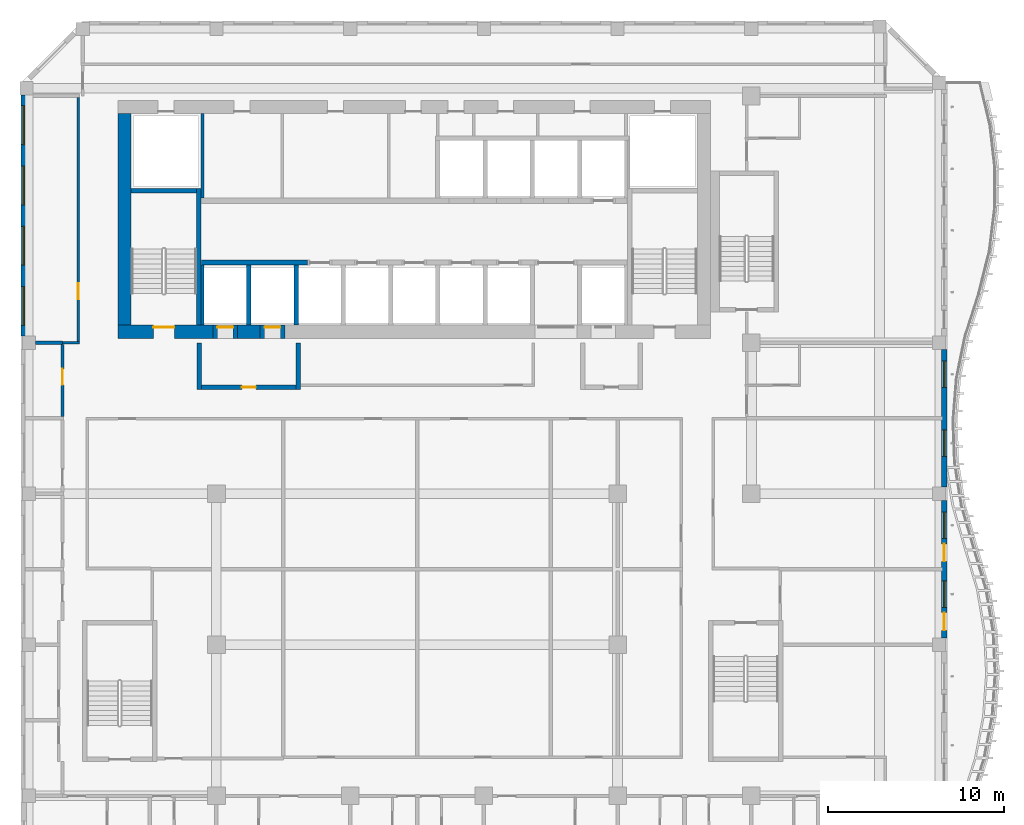
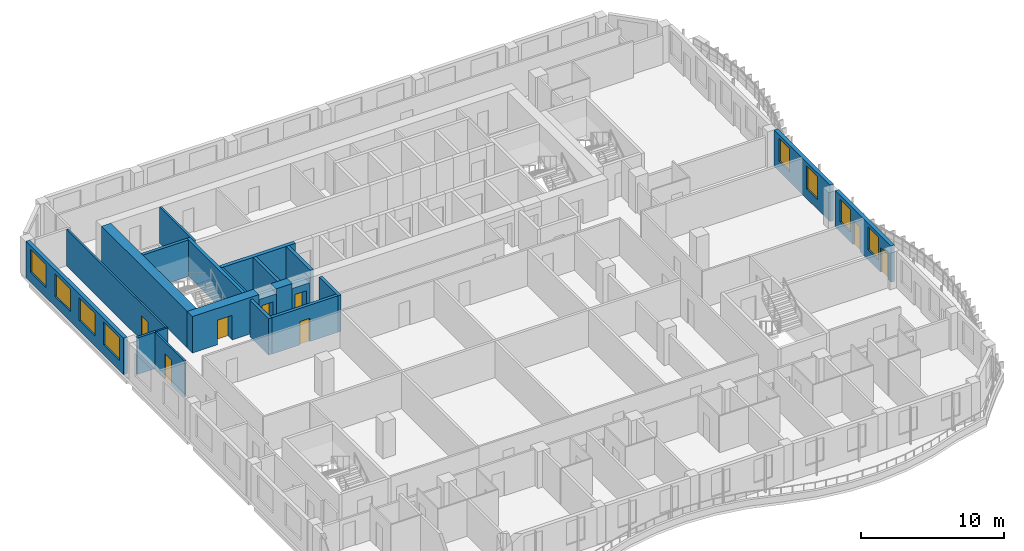
# One storey, part 6 of 22: 22 walls, 8 doors, 8 windows, 16 openings.
"""IFC4 building model written with IfcOpenShell, lengths in metres."""

from ifc_helpers import new_model, si_unit, direction, frame, frame_2d, origin, place, context, subcontext, project, spatial, rectangle, extrude, source, transform, mapped, material, layer, layer_set, type_object, element, fill, save


model = new_model("IFC4")

# Units and contexts
model_context = context("Model", 3, precision=1e-05, world=origin(), true_north=direction((0.0, 1.0)))
body_context = subcontext(model_context, "Body", "Model", "MODEL_VIEW")
ifc_project = project(units=[si_unit("LENGTHUNIT", "METRE"), si_unit("AREAUNIT", "SQUARE_METRE"), si_unit("VOLUMEUNIT", "CUBIC_METRE"), si_unit("PLANEANGLEUNIT", "RADIAN"), si_unit("MASSUNIT", "GRAM", prefix="KILO")], contexts=[model_context])

# Site, building, storey
site_placement = place(None, origin())
site = spatial("IfcSite", under=ifc_project, at=site_placement, CompositionType="ELEMENT")
building_placement = place(site_placement, origin())
building = spatial("IfcBuilding", under=site, at=building_placement, Name="Kilnfold Tower and Market Hall", CompositionType="ELEMENT")
storey_placement = place(building_placement, frame((0.0, 0.0, 213.5)))
storey = spatial("IfcBuildingStorey", under=building, at=storey_placement, Name="L52", CompositionType="ELEMENT", Elevation=213.5)

# Wall
ifc_material_1 = material(Name="Gypsum board on steel studs", Category="steel")
ifc_layer_1 = layer(ifc_material_1, 0.14990234375)
ifc_layer_set_1 = layer_set([ifc_layer_1], Name="Gypsum board on steel studs")
wall_type_1 = type_object("IfcWallType", Name="WALL CORRIDOR 150", PredefinedType="PARTITIONING", material=ifc_layer_set_1)
wall_1_placement = place(storey_placement, frame((-17.925048828125, 8.0, 0.0), z_axis=(0.0, 0.0, 1.0), x_axis=(-1.0, 0.0, 0.0)))
element("IfcWall", 1, at=wall_1_placement, inside=storey, type_object=wall_type_1, Name="Partition LY31.7", PredefinedType="PARTITIONING", context=body_context, shape_type="SweptSolid", body=[
    extrude(rectangle(XDim=0.975830078125, YDim=0.14990234375, at=frame_2d((0.48779296875, 0.0))), origin(), (0.0, 0.0, 1.0), 3.1201171875),
])

# Wall, opening, door
wall_2_placement = place(storey_placement, frame((-18.0, 21.89990234375, 0.0), z_axis=(0.0, 0.0, 1.0), x_axis=(0.0, -1.0, 0.0)))
wall_2 = element("IfcWall", 2, at=wall_2_placement, inside=storey, type_object=wall_type_1, Name="Partition LY31.8", PredefinedType="PARTITIONING", context=body_context, shape_type="SweptSolid", body=[
    extrude(rectangle(XDim=13.824951171875, YDim=0.14990234375, at=frame_2d((6.91259765625, 0.0))), origin(), (0.0, 0.0, 1.0), 3.1201171875),
])
opening_1_placement = place(wall_2_placement, frame((10.52099609375, 0.0, 0.0)))
opening_1 = element("IfcOpeningElement", 3, at=opening_1_placement, cuts=wall_2, Name="Opening D2", PredefinedType="OPENING", context=body_context, shape_type="SweptSolid", body=[
    extrude(rectangle(XDim=0.89990234375, YDim=2.10009765625, at=frame_2d((0.449951171875, 1.050048828125))), frame((0.0, 0.0849609375, 0.0), z_axis=(0.0, -1.0, 0.0), x_axis=(1.0, 0.0, 0.0)), (0.0, 0.0, 1.0), 0.169921875),
])
ifc_material_2 = material(Name="Timber veneer door leaf in steel frame", Category="steel")
door_type_1 = type_object("IfcDoorType", Name="DOOR ROOM 900 X2100", OperationType="NOTDEFINED", PredefinedType="DOOR", material=ifc_material_2)
door_1_placement = place(opening_1_placement, origin())
door_1 = element("IfcDoor", 4, at=door_1_placement, inside=storey, type_object=door_type_1, Name="Door D2", OperationType="SINGLE_SWING_RIGHT", OverallHeight=2.10009765625, OverallWidth=0.89990234375, PredefinedType="DOOR", context=body_context, shape_type="SweptSolid", body=[
    extrude(rectangle(XDim=0.89990234375, YDim=2.10009765625, at=frame_2d((0.449951171875, 1.050048828125))), frame((0.0, 0.02490234375, 0.0), z_axis=(0.0, -1.0, 0.0), x_axis=(1.0, 0.0, 0.0)), (0.0, 0.0, 1.0), 0.050048828125),
])
fill(opening_1, door_1)

wall_3_placement = place(storey_placement, frame((-18.89990234375, 3.80908203125, 0.0), z_axis=(0.0, 0.0, 1.0), x_axis=(0.0, 1.0, 0.0)))
wall_3 = element("IfcWall", 5, at=wall_3_placement, inside=storey, type_object=wall_type_1, Name="Partition LY31.16", PredefinedType="PARTITIONING", context=body_context, shape_type="SweptSolid", body=[
    extrude(rectangle(XDim=4.091796875, YDim=0.14990234375, at=frame_2d((2.0458984375, 0.0))), origin(), (0.0, 0.0, 1.0), 3.1201171875),
])
opening_2_placement = place(wall_3_placement, frame((1.80908203125, 0.0, 0.0)))
opening_2 = element("IfcOpeningElement", 6, at=opening_2_placement, cuts=wall_3, Name="Opening D2", PredefinedType="OPENING", context=body_context, shape_type="SweptSolid", body=[
    extrude(rectangle(XDim=0.89990234375, YDim=2.10009765625, at=frame_2d((0.449951171875, 1.050048828125))), frame((0.0, 0.0849609375, 0.0), z_axis=(0.0, -1.0, 0.0), x_axis=(1.0, 0.0, 0.0)), (0.0, 0.0, 1.0), 0.169921875),
])
door_2_placement = place(opening_2_placement, origin())
door_2 = element("IfcDoor", 7, at=door_2_placement, inside=storey, type_object=door_type_1, Name="Door D2", OperationType="SINGLE_SWING_LEFT", OverallHeight=2.10009765625, OverallWidth=0.89990234375, PredefinedType="DOOR", context=body_context, shape_type="SweptSolid", body=[
    extrude(rectangle(XDim=0.89990234375, YDim=2.10009765625, at=frame_2d((0.449951171875, 1.050048828125))), frame((0.0, 0.02490234375, 0.0), z_axis=(0.0, -1.0, 0.0), x_axis=(1.0, 0.0, 0.0)), (0.0, 0.0, 1.0), 0.050048828125),
])
fill(opening_2, door_2)

# Walls
ifc_material_3 = material(Name="Gypsum board on steel studs", Category="steel")
ifc_layer_2 = layer(ifc_material_3, 0.199951171875)
ifc_layer_set_2 = layer_set([ifc_layer_2], Name="Gypsum board on steel studs")
wall_type_2 = type_object("IfcWallType", Name="WALL PARTY 200", PredefinedType="PARTITIONING", material=ifc_layer_set_2)
wall_4_placement = place(storey_placement, frame((-20.425048828125, 8.0, 0.0), z_axis=(0.0, 0.0, 1.0), x_axis=(0.999999794741, 0.000640717472, 0.0)))
element("IfcWall", 8, at=wall_4_placement, inside=storey, type_object=wall_type_2, Name="Partition LY31.77", PredefinedType="PARTITIONING", context=body_context, shape_type="SweptSolid", body=[
    extrude(rectangle(XDim=1.524169921875, YDim=0.199951171875, at=frame_2d((0.76220703125, 0.0))), origin(), (0.0, 0.0, 1.0), 3.1201171875),
])
ifc_material_4 = material(Name="Concrete C60", Category="concrete")
ifc_layer_3 = layer(ifc_material_4, 0.25)
ifc_layer_set_3 = layer_set([ifc_layer_3], Name="Concrete C60")
wall_type_3 = type_object("IfcWallType", Name="CORE WALL 250 C60", PredefinedType="SHEAR", material=ifc_layer_set_3)
shared_shape_1 = source(origin(), body_context, "Body", "SweptSolid", [
    extrude(rectangle(XDim=7.75, YDim=0.25, at=frame_2d((3.875, 0.0))), origin(), (0.0, 0.0, 1.0), 3.1201171875),
])
wall_5_placement = place(storey_placement, frame((-11.175048828125, 9.0, 0.0), z_axis=(0.0, 0.0, 1.0), x_axis=(0.0, 1.0, 0.0)))
element("IfcWall", 9, at=wall_5_placement, inside=storey, type_object=wall_type_3, Name="Stair enclosure ST1", PredefinedType="SHEAR", context=body_context, shape_type="MappedRepresentation", body=[
    mapped(shared_shape_1, transform((0.0, 0.0, 0.0))),
])
shared_shape_2 = source(origin(), body_context, "Body", "SweptSolid", [
    extrude(rectangle(XDim=3.699951171875, YDim=0.25, at=frame_2d((1.85009765625, 0.0))), origin(), (0.0, 0.0, 1.0), 3.1201171875),
])
wall_6_placement = place(storey_placement, frame((-15.0, 16.625, 0.0), z_axis=(0.0, 0.0, 1.0), x_axis=(1.0, 0.0, 0.0)))
element("IfcWall", 10, at=wall_6_placement, inside=storey, type_object=wall_type_3, Name="Stair enclosure ST1", PredefinedType="SHEAR", context=body_context, shape_type="MappedRepresentation", body=[
    mapped(shared_shape_2, transform((0.0, 0.0, 0.0))),
])
ifc_material_5 = material(Name="Concrete C60", Category="concrete")
ifc_layer_4 = layer(ifc_material_5, 0.300048828125)
ifc_layer_set_4 = layer_set([ifc_layer_4], Name="Concrete C60")
wall_type_4 = type_object("IfcWallType", Name="CORE WALL 300 C60", PredefinedType="SHEAR", material=ifc_layer_set_4)
shared_shape_3 = source(origin(), body_context, "Body", "SweptSolid", [
    extrude(rectangle(XDim=6.0, YDim=0.300048828125, at=frame_2d((3.0, 0.0))), origin(), (0.0, 0.0, 1.0), 3.1201171875),
])
wall_7_placement = place(storey_placement, frame((-11.010009765625, 12.550048828125, 0.0), z_axis=(0.0, 0.0, 1.0), x_axis=(1.0, 0.0, 0.0)))
element("IfcWall", 11, at=wall_7_placement, inside=storey, type_object=wall_type_4, Name="Core spine wall", PredefinedType="SHEAR", context=body_context, shape_type="MappedRepresentation", body=[
    mapped(shared_shape_3, transform((0.0, 0.0, 0.0))),
])

# Wall, opening, door
ifc_material_6 = material(Name="Concrete C60", Category="concrete")
ifc_layer_5 = layer(ifc_material_6, 0.75)
ifc_layer_set_5 = layer_set([ifc_layer_5], Name="Concrete C60")
wall_type_5 = type_object("IfcWallType", Name="CORE WALL 750 C60", PredefinedType="SHEAR", material=ifc_layer_set_5)
shared_shape_4 = source(origin(), body_context, "Body", "SweptSolid", [
    extrude(rectangle(XDim=5.3798828125, YDim=0.75, at=frame_2d((2.68994140625, 0.0))), origin(), (0.0, 0.0, 1.0), 3.1201171875),
])
wall_8_placement = place(storey_placement, frame((-15.75, 8.625, 0.0), z_axis=(0.0, 0.0, 1.0), x_axis=(1.0, 0.0, 0.0)))
wall_8 = element("IfcWall", 12, at=wall_8_placement, inside=storey, type_object=wall_type_5, Name="Core outer wall south", PredefinedType="SHEAR", context=body_context, shape_type="MappedRepresentation", body=[
    mapped(shared_shape_4, transform((0.0, 0.0, 0.0))),
])
opening_3_placement = place(wall_8_placement, frame((2.0, 0.0, 0.0)))
opening_3 = element("IfcOpeningElement", 13, at=opening_3_placement, cuts=wall_8, Name="Opening SD1", PredefinedType="OPENING", context=body_context, shape_type="SweptSolid", body=[
    extrude(rectangle(XDim=1.199951171875, YDim=2.10009765625, at=frame_2d((0.60009765625, 1.050048828125))), frame((0.0, 0.385009765625, 0.0), z_axis=(0.0, -1.0, 0.0), x_axis=(1.0, 0.0, 0.0)), (0.0, 0.0, 1.0), 0.77001953125),
])
ifc_material_7 = material(Name="Steel door set with fire-resisting leaf", Category="steel")
door_type_2 = type_object("IfcDoorType", Name="STAIR FLOOR DOOR 1200X2100", OperationType="NOTDEFINED", PredefinedType="DOOR", material=ifc_material_7)
door_3_placement = place(opening_3_placement, origin())
door_3 = element("IfcDoor", 14, at=door_3_placement, inside=storey, type_object=door_type_2, Name="Exit stair ST1 door", OperationType="DOUBLE_DOOR_SINGLE_SWING", OverallHeight=2.10009765625, OverallWidth=1.199951171875, PredefinedType="DOOR", context=body_context, shape_type="SweptSolid", body=[
    extrude(rectangle(XDim=1.199951171875, YDim=2.10009765625, at=frame_2d((0.60009765625, 1.050048828125))), frame((0.0, 0.27978515625, 0.0), z_axis=(0.0, -1.0, 0.0), x_axis=(1.0, 0.0, 0.0)), (0.0, 0.0, 1.0), 0.050048828125),
])
fill(opening_3, door_3)

# Walls
shared_shape_5 = source(origin(), body_context, "Body", "SweptSolid", [
    extrude(rectangle(XDim=1.280029296875, YDim=0.75, at=frame_2d((0.64013671875, 0.0))), origin(), (0.0, 0.0, 1.0), 3.1201171875),
])
wall_9_placement = place(storey_placement, frame((-8.969970703125, 8.625, 0.0), z_axis=(0.0, 0.0, 1.0), x_axis=(1.0, 0.0, 0.0)))
element("IfcWall", 15, at=wall_9_placement, inside=storey, type_object=wall_type_5, Name="Core outer wall south", PredefinedType="SHEAR", context=body_context, shape_type="MappedRepresentation", body=[
    mapped(shared_shape_5, transform((0.0, 0.0, 0.0))),
])
shared_shape_6 = source(origin(), body_context, "Body", "SweptSolid", [
    extrude(rectangle(XDim=12.0, YDim=0.75, at=frame_2d((6.0, 0.0))), origin(), (0.0, 0.0, 1.0), 3.1201171875),
])
wall_10_placement = place(storey_placement, frame((-15.375, 9.0, 0.0), z_axis=(0.0, 0.0, 1.0), x_axis=(0.0, 1.0, 0.0)))
element("IfcWall", 16, at=wall_10_placement, inside=storey, type_object=wall_type_5, Name="Core outer wall west", PredefinedType="SHEAR", context=body_context, shape_type="MappedRepresentation", body=[
    mapped(shared_shape_6, transform((0.0, 0.0, 0.0))),
])

# Wall, openings, doors, windows
ifc_material_8 = material(Name="Precast concrete C50/60", Category="concrete")
ifc_layer_6 = layer(ifc_material_8, 0.300048828125)
ifc_layer_set_6 = layer_set([ifc_layer_6], Name="Precast concrete C50/60")
wall_type_6 = type_object("IfcWallType", Name="PRECAST WALL 300", PredefinedType="SOLIDWALL", material=ifc_layer_set_6)
shared_shape_7 = source(origin(), body_context, "Body", "SweptSolid", [
    extrude(rectangle(XDim=7.8125, YDim=0.300048828125, at=frame_2d((3.90625, 0.0))), origin(), (0.0, 0.0, 1.0), 3.1201171875),
])
wall_11_placement = place(storey_placement, frame((31.10009765625, -8.75, 0.0), z_axis=(0.0, 0.0, 1.0), x_axis=(0.0, 1.0, 0.0)))
wall_11 = element("IfcWall", 17, at=wall_11_placement, inside=storey, type_object=wall_type_6, Name="External wall L52 E", PredefinedType="SOLIDWALL", context=body_context, shape_type="MappedRepresentation", body=[
    mapped(shared_shape_7, transform((0.0, 0.0, 0.0))),
])
opening_4_placement = place(wall_11_placement, frame((1.75, 0.0, 0.85009765625)))
opening_4 = element("IfcOpeningElement", 18, at=opening_4_placement, cuts=wall_11, Name="Opening W4", PredefinedType="OPENING", context=body_context, shape_type="SweptSolid", body=[
    extrude(rectangle(XDim=1.5, YDim=1.949951171875, at=frame_2d((0.75, 0.97509765625))), frame((0.0, 0.16015625, 0.0), z_axis=(0.0, -1.0, 0.0), x_axis=(1.0, 0.0, 0.0)), (0.0, 0.0, 1.0), 0.320068359375),
])
opening_5_placement = place(wall_11_placement, frame((0.449951171875, 0.0, 0.0)))
opening_5 = element("IfcOpeningElement", 19, at=opening_5_placement, cuts=wall_11, Name="Opening BD1", PredefinedType="OPENING", context=body_context, shape_type="SweptSolid", body=[
    extrude(rectangle(XDim=1.0, YDim=2.10009765625, at=frame_2d((0.5, 1.050048828125))), frame((0.0, 0.16015625, 0.0), z_axis=(0.0, -1.0, 0.0), x_axis=(1.0, 0.0, 0.0)), (0.0, 0.0, 1.0), 0.320068359375),
])
opening_6_placement = place(wall_11_placement, frame((5.65625, 0.0, 0.85009765625)))
opening_6 = element("IfcOpeningElement", 20, at=opening_6_placement, cuts=wall_11, Name="Opening W4", PredefinedType="OPENING", context=body_context, shape_type="SweptSolid", body=[
    extrude(rectangle(XDim=1.5, YDim=1.949951171875, at=frame_2d((0.75, 0.97509765625))), frame((0.0, 0.16015625, 0.0), z_axis=(0.0, -1.0, 0.0), x_axis=(1.0, 0.0, 0.0)), (0.0, 0.0, 1.0), 0.320068359375),
])
opening_7_placement = place(wall_11_placement, frame((4.356201171875, 0.0, 0.0)))
opening_7 = element("IfcOpeningElement", 21, at=opening_7_placement, cuts=wall_11, Name="Opening BD1", PredefinedType="OPENING", context=body_context, shape_type="SweptSolid", body=[
    extrude(rectangle(XDim=1.0, YDim=2.10009765625, at=frame_2d((0.5, 1.050048828125))), frame((0.0, 0.16015625, 0.0), z_axis=(0.0, -1.0, 0.0), x_axis=(1.0, 0.0, 0.0)), (0.0, 0.0, 1.0), 0.320068359375),
])
ifc_material_9 = material(Name="Aluminium frame and double glazing", Category="aluminium")
door_type_3 = type_object("IfcDoorType", Name="BALCONY DOOR 1000X2100", OperationType="NOTDEFINED", PredefinedType="DOOR", material=ifc_material_9)
door_4_placement = place(opening_5_placement, origin())
door_4 = element("IfcDoor", 22, at=door_4_placement, inside=storey, type_object=door_type_3, Name="Balcony door BD1 L52 E-1", OperationType="SINGLE_SWING_LEFT", OverallHeight=2.10009765625, OverallWidth=1.0, PredefinedType="DOOR", context=body_context, shape_type="SweptSolid", body=[
    extrude(rectangle(XDim=1.0, YDim=2.10009765625, at=frame_2d((0.5, 1.050048828125))), frame((0.0, 0.02490234375, 0.0), z_axis=(0.0, -1.0, 0.0), x_axis=(1.0, 0.0, 0.0)), (0.0, 0.0, 1.0), 0.050048828125),
])
fill(opening_5, door_4)
door_5_placement = place(opening_7_placement, origin())
door_5 = element("IfcDoor", 23, at=door_5_placement, inside=storey, type_object=door_type_3, Name="Balcony door BD1 L52 E-2", OperationType="SINGLE_SWING_RIGHT", OverallHeight=2.10009765625, OverallWidth=1.0, PredefinedType="DOOR", context=body_context, shape_type="SweptSolid", body=[
    extrude(rectangle(XDim=1.0, YDim=2.10009765625, at=frame_2d((0.5, 1.050048828125))), frame((0.0, 0.02490234375, 0.0), z_axis=(0.0, -1.0, 0.0), x_axis=(1.0, 0.0, 0.0)), (0.0, 0.0, 1.0), 0.050048828125),
])
fill(opening_7, door_5)
ifc_material_10 = material(Name="Aluminium frame and double glazing", Category="aluminium")
window_type_1 = type_object("IfcWindowType", Name="WINDOW W4 1500X1950", PartitioningType="SINGLE_PANEL", PredefinedType="WINDOW", material=ifc_material_10)
window_1_placement = place(opening_4_placement, origin())
window_1 = element("IfcWindow", 24, at=window_1_placement, inside=storey, type_object=window_type_1, Name="Window W4 L52 E-1", OverallHeight=1.949951171875, OverallWidth=1.5, PartitioningType="SINGLE_PANEL", PredefinedType="WINDOW", context=body_context, shape_type="SweptSolid", body=[
    extrude(rectangle(XDim=1.5, YDim=1.949951171875, at=frame_2d((0.75, 0.97509765625))), frame((0.0, 0.030029296875, 0.0), z_axis=(0.0, -1.0, 0.0), x_axis=(1.0, 0.0, 0.0)), (0.0, 0.0, 1.0), 0.06005859375),
])
fill(opening_4, window_1)
window_2_placement = place(opening_6_placement, origin())
window_2 = element("IfcWindow", 25, at=window_2_placement, inside=storey, type_object=window_type_1, Name="Window W4 L52 E-2", OverallHeight=1.949951171875, OverallWidth=1.5, PartitioningType="SINGLE_PANEL", PredefinedType="WINDOW", context=body_context, shape_type="SweptSolid", body=[
    extrude(rectangle(XDim=1.5, YDim=1.949951171875, at=frame_2d((0.75, 0.97509765625))), frame((0.0, 0.030029296875, 0.0), z_axis=(0.0, -1.0, 0.0), x_axis=(1.0, 0.0, 0.0)), (0.0, 0.0, 1.0), 0.06005859375),
])
fill(opening_6, window_2)

# Wall, openings, windows
wall_12_placement = place(storey_placement, frame((31.10009765625, -0.1875, 0.0), z_axis=(0.0, 0.0, 1.0), x_axis=(0.0, 1.0, 0.0)))
wall_12 = element("IfcWall", 26, at=wall_12_placement, inside=storey, type_object=wall_type_6, Name="External wall L52 E", PredefinedType="SOLIDWALL", context=body_context, shape_type="MappedRepresentation", body=[
    mapped(shared_shape_7, transform((0.0, 0.0, 0.0))),
])
opening_8_placement = place(wall_12_placement, frame((1.75, 0.0, 0.85009765625)))
opening_8 = element("IfcOpeningElement", 27, at=opening_8_placement, cuts=wall_12, Name="Opening W4", PredefinedType="OPENING", context=body_context, shape_type="SweptSolid", body=[
    extrude(rectangle(XDim=1.5, YDim=1.949951171875, at=frame_2d((0.75, 0.97509765625))), frame((0.0, 0.16015625, 0.0), z_axis=(0.0, -1.0, 0.0), x_axis=(1.0, 0.0, 0.0)), (0.0, 0.0, 1.0), 0.320068359375),
])
opening_9_placement = place(wall_12_placement, frame((5.65625, 0.0, 0.85009765625)))
opening_9 = element("IfcOpeningElement", 28, at=opening_9_placement, cuts=wall_12, Name="Opening W4", PredefinedType="OPENING", context=body_context, shape_type="SweptSolid", body=[
    extrude(rectangle(XDim=1.5, YDim=1.949951171875, at=frame_2d((0.75, 0.97509765625))), frame((0.0, 0.16015625, 0.0), z_axis=(0.0, -1.0, 0.0), x_axis=(1.0, 0.0, 0.0)), (0.0, 0.0, 1.0), 0.320068359375),
])
window_3_placement = place(opening_8_placement, origin())
window_3 = element("IfcWindow", 29, at=window_3_placement, inside=storey, type_object=window_type_1, Name="Window W4 L52 E-1", OverallHeight=1.949951171875, OverallWidth=1.5, PartitioningType="SINGLE_PANEL", PredefinedType="WINDOW", context=body_context, shape_type="SweptSolid", body=[
    extrude(rectangle(XDim=1.5, YDim=1.949951171875, at=frame_2d((0.75, 0.97509765625))), frame((0.0, 0.030029296875, 0.0), z_axis=(0.0, -1.0, 0.0), x_axis=(1.0, 0.0, 0.0)), (0.0, 0.0, 1.0), 0.06005859375),
])
fill(opening_8, window_3)
window_4_placement = place(opening_9_placement, origin())
window_4 = element("IfcWindow", 30, at=window_4_placement, inside=storey, type_object=window_type_1, Name="Window W4 L52 E-2", OverallHeight=1.949951171875, OverallWidth=1.5, PartitioningType="SINGLE_PANEL", PredefinedType="WINDOW", context=body_context, shape_type="SweptSolid", body=[
    extrude(rectangle(XDim=1.5, YDim=1.949951171875, at=frame_2d((0.75, 0.97509765625))), frame((0.0, 0.030029296875, 0.0), z_axis=(0.0, -1.0, 0.0), x_axis=(1.0, 0.0, 0.0)), (0.0, 0.0, 1.0), 0.06005859375),
])
fill(opening_9, window_4)

shared_shape_8 = source(origin(), body_context, "Body", "SweptSolid", [
    extrude(rectangle(XDim=13.681884765625, YDim=0.300048828125, at=frame_2d((6.8408203125, 0.0))), origin(), (0.0, 0.0, 1.0), 3.1201171875),
])
wall_13_placement = place(storey_placement, frame((-21.10009765625, 22.056884765625, 0.0), z_axis=(0.0, 0.0, 1.0), x_axis=(0.0, -1.0, 0.0)))
wall_13 = element("IfcWall", 31, at=wall_13_placement, inside=storey, type_object=wall_type_6, Name="External wall L52 W", PredefinedType="SOLIDWALL", context=body_context, shape_type="MappedRepresentation", body=[
    mapped(shared_shape_8, transform((0.0, 0.0, 0.0))),
])
opening_10_placement = place(wall_13_placement, frame((0.610107421875, 0.0, 0.85009765625)))
opening_10 = element("IfcOpeningElement", 32, at=opening_10_placement, cuts=wall_13, Name="Opening W2", PredefinedType="OPENING", context=body_context, shape_type="SweptSolid", body=[
    extrude(rectangle(XDim=2.199951171875, YDim=1.949951171875, at=frame_2d((1.10009765625, 0.97509765625))), frame((0.0, 0.16015625, 0.0), z_axis=(0.0, -1.0, 0.0), x_axis=(1.0, 0.0, 0.0)), (0.0, 0.0, 1.0), 0.320068359375),
])
opening_11_placement = place(wall_13_placement, frame((4.030517578125, 0.0, 0.85009765625)))
opening_11 = element("IfcOpeningElement", 33, at=opening_11_placement, cuts=wall_13, Name="Opening W2", PredefinedType="OPENING", context=body_context, shape_type="SweptSolid", body=[
    extrude(rectangle(XDim=2.199951171875, YDim=1.949951171875, at=frame_2d((1.10009765625, 0.97509765625))), frame((0.0, 0.16015625, 0.0), z_axis=(0.0, -1.0, 0.0), x_axis=(1.0, 0.0, 0.0)), (0.0, 0.0, 1.0), 0.320068359375),
])
opening_12_placement = place(wall_13_placement, frame((7.451171875, 0.0, 0.85009765625)))
opening_12 = element("IfcOpeningElement", 34, at=opening_12_placement, cuts=wall_13, Name="Opening W2", PredefinedType="OPENING", context=body_context, shape_type="SweptSolid", body=[
    extrude(rectangle(XDim=2.199951171875, YDim=1.949951171875, at=frame_2d((1.10009765625, 0.97509765625))), frame((0.0, 0.16015625, 0.0), z_axis=(0.0, -1.0, 0.0), x_axis=(1.0, 0.0, 0.0)), (0.0, 0.0, 1.0), 0.320068359375),
])
opening_13_placement = place(wall_13_placement, frame((10.87158203125, 0.0, 0.85009765625)))
opening_13 = element("IfcOpeningElement", 35, at=opening_13_placement, cuts=wall_13, Name="Opening W2", PredefinedType="OPENING", context=body_context, shape_type="SweptSolid", body=[
    extrude(rectangle(XDim=2.199951171875, YDim=1.949951171875, at=frame_2d((1.10009765625, 0.97509765625))), frame((0.0, 0.16015625, 0.0), z_axis=(0.0, -1.0, 0.0), x_axis=(1.0, 0.0, 0.0)), (0.0, 0.0, 1.0), 0.320068359375),
])
ifc_material_11 = material(Name="Aluminium frame and double glazing", Category="aluminium")
window_type_2 = type_object("IfcWindowType", Name="WINDOW W2 2200X1950", PartitioningType="SINGLE_PANEL", PredefinedType="WINDOW", material=ifc_material_11)
window_5_placement = place(opening_10_placement, origin())
window_5 = element("IfcWindow", 36, at=window_5_placement, inside=storey, type_object=window_type_2, Name="Window W2 L52 W-1", OverallHeight=1.949951171875, OverallWidth=2.199951171875, PartitioningType="SINGLE_PANEL", PredefinedType="WINDOW", context=body_context, shape_type="SweptSolid", body=[
    extrude(rectangle(XDim=2.199951171875, YDim=1.949951171875, at=frame_2d((1.10009765625, 0.97509765625))), frame((0.0, 0.030029296875, 0.0), z_axis=(0.0, -1.0, 0.0), x_axis=(1.0, 0.0, 0.0)), (0.0, 0.0, 1.0), 0.06005859375),
])
fill(opening_10, window_5)
window_6_placement = place(opening_11_placement, origin())
window_6 = element("IfcWindow", 37, at=window_6_placement, inside=storey, type_object=window_type_2, Name="Window W2 L52 W-2", OverallHeight=1.949951171875, OverallWidth=2.199951171875, PartitioningType="SINGLE_PANEL", PredefinedType="WINDOW", context=body_context, shape_type="SweptSolid", body=[
    extrude(rectangle(XDim=2.199951171875, YDim=1.949951171875, at=frame_2d((1.10009765625, 0.97509765625))), frame((0.0, 0.030029296875, 0.0), z_axis=(0.0, -1.0, 0.0), x_axis=(1.0, 0.0, 0.0)), (0.0, 0.0, 1.0), 0.06005859375),
])
fill(opening_11, window_6)
window_7_placement = place(opening_12_placement, origin())
window_7 = element("IfcWindow", 38, at=window_7_placement, inside=storey, type_object=window_type_2, Name="Window W2 L52 W-3", OverallHeight=1.949951171875, OverallWidth=2.199951171875, PartitioningType="SINGLE_PANEL", PredefinedType="WINDOW", context=body_context, shape_type="SweptSolid", body=[
    extrude(rectangle(XDim=2.199951171875, YDim=1.949951171875, at=frame_2d((1.10009765625, 0.97509765625))), frame((0.0, 0.030029296875, 0.0), z_axis=(0.0, -1.0, 0.0), x_axis=(1.0, 0.0, 0.0)), (0.0, 0.0, 1.0), 0.06005859375),
])
fill(opening_12, window_7)
window_8_placement = place(opening_13_placement, origin())
window_8 = element("IfcWindow", 39, at=window_8_placement, inside=storey, type_object=window_type_2, Name="Window W2 L52 W-4", OverallHeight=1.949951171875, OverallWidth=2.199951171875, PartitioningType="SINGLE_PANEL", PredefinedType="WINDOW", context=body_context, shape_type="SweptSolid", body=[
    extrude(rectangle(XDim=2.199951171875, YDim=1.949951171875, at=frame_2d((1.10009765625, 0.97509765625))), frame((0.0, 0.030029296875, 0.0), z_axis=(0.0, -1.0, 0.0), x_axis=(1.0, 0.0, 0.0)), (0.0, 0.0, 1.0), 0.06005859375),
])
fill(opening_13, window_8)

# Walls
ifc_material_12 = material(Name="Gypsum shaft wall system")
ifc_layer_7 = layer(ifc_material_12, 0.25)
ifc_layer_set_7 = layer_set([ifc_layer_7], Name="Gypsum shaft wall system")
wall_type_7 = type_object("IfcWallType", Name="LOBBY WALL 250", PredefinedType="PARTITIONING", material=ifc_layer_set_7)
shared_shape_9 = source(origin(), body_context, "Body", "SweptSolid", [
    extrude(rectangle(XDim=2.64990234375, YDim=0.25, at=frame_2d((1.324951171875, 0.0))), origin(), (0.0, 0.0, 1.0), 3.1201171875),
])
for number, where, z_axis, x_axis, name in (
    (40, (-11.135009765625, 5.35009765625, 0.0), (0.0, 0.0, 1.0), (0.0, 1.0, 0.0), "Firefighting lobby wall"),
    (41, (-5.52490234375, 5.35009765625, 0.0), (0.0, 0.0, 1.0), (0.0, 1.0, 0.0), "Firefighting lobby wall"),
):
    element("IfcWall", number, at=place(storey_placement, frame(where, z_axis=z_axis, x_axis=x_axis)), inside=storey, type_object=wall_type_7, Name=name, PredefinedType="PARTITIONING", context=body_context, shape_type="MappedRepresentation", body=[
        mapped(shared_shape_9, transform((0.0, 0.0, 0.0))),
    ])

# Wall, opening, door
shared_shape_10 = source(origin(), body_context, "Body", "SweptSolid", [
    extrude(rectangle(XDim=5.360107421875, YDim=0.25, at=frame_2d((2.68017578125, 0.0))), origin(), (0.0, 0.0, 1.0), 3.1201171875),
])
wall_14_placement = place(storey_placement, frame((-11.010009765625, 5.47509765625, 0.0), z_axis=(0.0, 0.0, 1.0), x_axis=(1.0, 0.0, 0.0)))
wall_14 = element("IfcWall", 42, at=wall_14_placement, inside=storey, type_object=wall_type_7, Name="Firefighting lobby wall", PredefinedType="PARTITIONING", context=body_context, shape_type="MappedRepresentation", body=[
    mapped(shared_shape_10, transform((0.0, 0.0, 0.0))),
])
opening_14_placement = place(wall_14_placement, frame((2.280029296875, 0.0, 0.0)))
opening_14 = element("IfcOpeningElement", 43, at=opening_14_placement, cuts=wall_14, Name="Opening VD1", PredefinedType="OPENING", context=body_context, shape_type="SweptSolid", body=[
    extrude(rectangle(XDim=0.800048828125, YDim=2.0, at=frame_2d((0.39990234375, 1.0))), frame((0.0, 0.135009765625, 0.0), z_axis=(0.0, -1.0, 0.0), x_axis=(1.0, 0.0, 0.0)), (0.0, 0.0, 1.0), 0.27001953125),
])
ifc_material_13 = material(Name="Steel door set with fire-resisting leaf", Category="steel")
door_type_4 = type_object("IfcDoorType", Name="FIREFIGHTING LOBBY DOOR 800X2000", OperationType="NOTDEFINED", PredefinedType="DOOR", material=ifc_material_13)
door_6_placement = place(opening_14_placement, origin())
door_6 = element("IfcDoor", 44, at=door_6_placement, inside=storey, type_object=door_type_4, Name="Firefighting lobby door", OperationType="SINGLE_SWING_LEFT", OverallHeight=2.0, OverallWidth=0.800048828125, PredefinedType="DOOR", context=body_context, shape_type="SweptSolid", body=[
    extrude(rectangle(XDim=0.800048828125, YDim=2.0, at=frame_2d((0.39990234375, 1.0))), frame((0.0, 0.02490234375, 0.0), z_axis=(0.0, -1.0, 0.0), x_axis=(1.0, 0.0, 0.0)), (0.0, 0.0, 1.0), 0.050048828125),
])
fill(opening_14, door_6)

# Walls
ifc_material_14 = material(Name="Gypsum shaft wall system")
ifc_layer_8 = layer(ifc_material_14, 0.1650390625)
ifc_layer_set_8 = layer_set([ifc_layer_8], Name="Gypsum shaft wall system")
wall_type_8 = type_object("IfcWallType", Name="SHAFT WALL 165", PredefinedType="PARTITIONING", material=ifc_layer_set_8)
shared_shape_11 = source(origin(), body_context, "Body", "SweptSolid", [
    extrude(rectangle(XDim=4.800048828125, YDim=0.1650390625, at=frame_2d((2.39990234375, 0.0))), origin(), (0.0, 0.0, 1.0), 3.1201171875),
])
wall_15_placement = place(storey_placement, frame((-10.967529296875, 16.199951171875, 0.0), z_axis=(0.0, 0.0, 1.0), x_axis=(0.0, 1.0, 0.0)))
element("IfcWall", 45, at=wall_15_placement, inside=storey, type_object=wall_type_8, Name="Lift shaft wall", PredefinedType="PARTITIONING", context=body_context, shape_type="MappedRepresentation", body=[
    mapped(shared_shape_11, transform((0.0, 0.0, 0.0))),
])
ifc_material_15 = material(Name="Gypsum shaft wall system")
ifc_layer_9 = layer(ifc_material_15, 0.25)
ifc_layer_set_9 = layer_set([ifc_layer_9], Name="Gypsum shaft wall system")
wall_type_9 = type_object("IfcWallType", Name="SHAFT WALL 250", PredefinedType="PARTITIONING", material=ifc_layer_set_9)
shared_shape_12 = source(origin(), body_context, "Body", "SweptSolid", [
    extrude(rectangle(XDim=3.39990234375, YDim=0.25, at=frame_2d((1.699951171875, 0.0))), origin(), (0.0, 0.0, 1.0), 3.1201171875),
])
for number, where, z_axis, x_axis, name in (
    (46, (-5.64990234375, 9.0, 0.0), (0.0, 0.0, 1.0), (0.0, 1.0, 0.0), "Lift shaft wall"),
    (47, (-8.330078125, 9.0, 0.0), (0.0, 0.0, 1.0), (0.0, 1.0, 0.0), "Lift shaft wall"),
):
    element("IfcWall", number, at=place(storey_placement, frame(where, z_axis=z_axis, x_axis=x_axis)), inside=storey, type_object=wall_type_9, Name=name, PredefinedType="PARTITIONING", context=body_context, shape_type="MappedRepresentation", body=[
        mapped(shared_shape_12, transform((0.0, 0.0, 0.0))),
    ])
shared_shape_13 = source(origin(), body_context, "Body", "SweptSolid", [
    extrude(rectangle(XDim=3.39990234375, YDim=0.1650390625, at=frame_2d((1.699951171875, 0.0))), origin(), (0.0, 0.0, 1.0), 3.1201171875),
])
wall_16_placement = place(storey_placement, frame((-10.967529296875, 9.0, 0.0), z_axis=(0.0, 0.0, 1.0), x_axis=(0.0, 1.0, 0.0)))
element("IfcWall", 48, at=wall_16_placement, inside=storey, type_object=wall_type_8, Name="Lift shaft wall", PredefinedType="PARTITIONING", context=body_context, shape_type="MappedRepresentation", body=[
    mapped(shared_shape_13, transform((0.0, 0.0, 0.0))),
])

# Wall, opening, door
ifc_material_16 = material(Name="Gypsum shaft wall system")
ifc_layer_10 = layer(ifc_material_16, 0.75)
ifc_layer_set_10 = layer_set([ifc_layer_10], Name="Gypsum shaft wall system")
wall_type_10 = type_object("IfcWallType", Name="LOBBY WALL 750", PredefinedType="PARTITIONING", material=ifc_layer_set_10)
shared_shape_14 = source(origin(), body_context, "Body", "SweptSolid", [
    extrude(rectangle(XDim=1.400146484375, YDim=0.75, at=frame_2d((0.7001953125, 0.0))), origin(), (0.0, 0.0, 1.0), 2.699951171875),
])
wall_17_placement = place(storey_placement, frame((-10.3701171875, 8.625, 0.0), z_axis=(0.0, 0.0, 1.0), x_axis=(1.0, 0.0, 0.0)))
wall_17 = element("IfcWall", 49, at=wall_17_placement, inside=storey, type_object=wall_type_10, Name="Core wall infill", PredefinedType="PARTITIONING", context=body_context, shape_type="MappedRepresentation", body=[
    mapped(shared_shape_14, transform((0.0, 0.0, 0.0))),
])
opening_15_placement = place(wall_17_placement, frame((0.25, 0.0, 0.0)))
opening_15 = element("IfcOpeningElement", 50, at=opening_15_placement, cuts=wall_17, Name="Opening LD1", PredefinedType="OPENING", context=body_context, shape_type="SweptSolid", body=[
    extrude(rectangle(XDim=0.89990234375, YDim=2.10009765625, at=frame_2d((0.449951171875, 1.050048828125))), frame((0.0, 0.385009765625, 0.0), z_axis=(0.0, -1.0, 0.0), x_axis=(1.0, 0.0, 0.0)), (0.0, 0.0, 1.0), 0.77001953125),
])
ifc_material_17 = material(Name="Steel door set with fire-resisting leaf", Category="steel")
door_type_5 = type_object("IfcDoorType", Name="FIREFIGHTING LANDING DOOR 900X2100", OperationType="NOTDEFINED", PredefinedType="DOOR", material=ifc_material_17)
door_7_placement = place(opening_15_placement, origin())
door_7 = element("IfcDoor", 51, at=door_7_placement, inside=storey, type_object=door_type_5, Name="Landing door FF1", OperationType="SLIDING_TO_LEFT", OverallHeight=2.10009765625, OverallWidth=0.89990234375, PredefinedType="DOOR", context=body_context, shape_type="SweptSolid", body=[
    extrude(rectangle(XDim=0.89990234375, YDim=2.10009765625, at=frame_2d((0.449951171875, 1.050048828125))), frame((0.0, 0.27978515625, 0.0), z_axis=(0.0, -1.0, 0.0), x_axis=(1.0, 0.0, 0.0)), (0.0, 0.0, 1.0), 0.050048828125),
])
fill(opening_15, door_7)

shared_shape_15 = source(origin(), body_context, "Body", "SweptSolid", [
    extrude(rectangle(XDim=1.39990234375, YDim=0.75, at=frame_2d((0.699951171875, 0.0))), origin(), (0.0, 0.0, 1.0), 2.699951171875),
])
wall_18_placement = place(storey_placement, frame((-7.68994140625, 8.625, 0.0), z_axis=(0.0, 0.0, 1.0), x_axis=(1.0, 0.0, 0.0)))
wall_18 = element("IfcWall", 52, at=wall_18_placement, inside=storey, type_object=wall_type_10, Name="Core wall infill", PredefinedType="PARTITIONING", context=body_context, shape_type="MappedRepresentation", body=[
    mapped(shared_shape_15, transform((0.0, 0.0, 0.0))),
])
opening_16_placement = place(wall_18_placement, frame((0.25, 0.0, 0.0)))
opening_16 = element("IfcOpeningElement", 53, at=opening_16_placement, cuts=wall_18, Name="Opening LD1", PredefinedType="OPENING", context=body_context, shape_type="SweptSolid", body=[
    extrude(rectangle(XDim=0.89990234375, YDim=2.10009765625, at=frame_2d((0.449951171875, 1.050048828125))), frame((0.0, 0.385009765625, 0.0), z_axis=(0.0, -1.0, 0.0), x_axis=(1.0, 0.0, 0.0)), (0.0, 0.0, 1.0), 0.77001953125),
])
door_8_placement = place(opening_16_placement, origin())
door_8 = element("IfcDoor", 54, at=door_8_placement, inside=storey, type_object=door_type_5, Name="Landing door FF2", OperationType="SLIDING_TO_RIGHT", OverallHeight=2.10009765625, OverallWidth=0.89990234375, PredefinedType="DOOR", context=body_context, shape_type="SweptSolid", body=[
    extrude(rectangle(XDim=0.89990234375, YDim=2.10009765625, at=frame_2d((0.449951171875, 1.050048828125))), frame((0.0, 0.27978515625, 0.0), z_axis=(0.0, -1.0, 0.0), x_axis=(1.0, 0.0, 0.0)), (0.0, 0.0, 1.0), 0.050048828125),
])
fill(opening_16, door_8)

save(model, "model.ifc")
